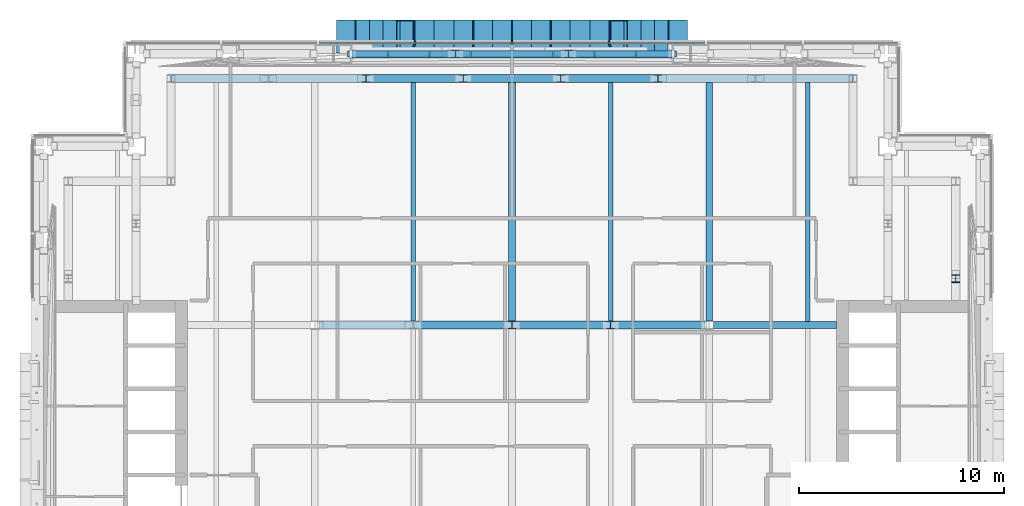
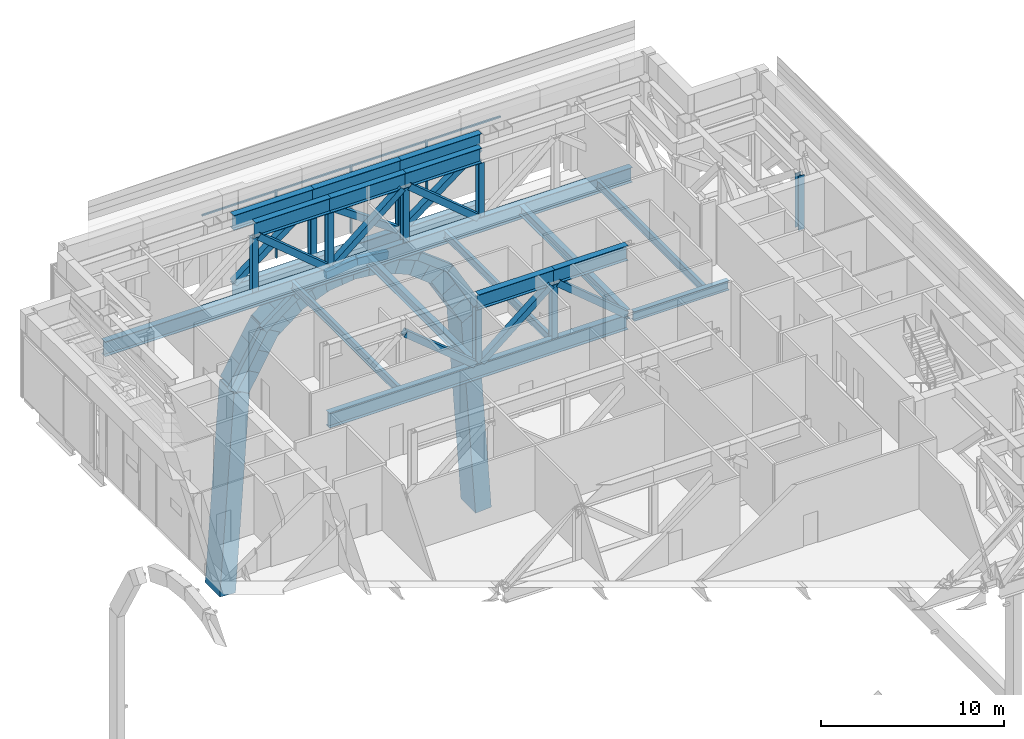
# One storey, part 7 of 38: 56 members, 14 beams, 1 element without a shape of its own.
"""IFC4 building model written with IfcOpenShell, lengths in metres."""

from ifc_helpers import new_model, si_unit, direction, frame, origin, origin_2d, place, context, subcontext, project, spatial, rectangle, hollow_rectangle, i_section, extrude, material, material_profile, profile_set, type_object, element, aggregate, save


model = new_model("IFC4")

# Units and contexts
model_context = context("Model", 3, precision=1e-05, world=origin(), true_north=direction((0.0, 1.0)))
body_context = subcontext(model_context, "Body", "Model", "MODEL_VIEW")
ifc_project = project(units=[si_unit("LENGTHUNIT", "METRE"), si_unit("AREAUNIT", "SQUARE_METRE"), si_unit("VOLUMEUNIT", "CUBIC_METRE"), si_unit("PLANEANGLEUNIT", "RADIAN"), si_unit("MASSUNIT", "GRAM", prefix="KILO")], contexts=[model_context])

# Site, building, storey
site_placement = place(None, origin())
site = spatial("IfcSite", under=ifc_project, at=site_placement, CompositionType="ELEMENT")
building_placement = place(site_placement, origin())
building = spatial("IfcBuilding", under=site, at=building_placement, Name="Cobrizo Arcos Hotel Tower", CompositionType="ELEMENT")
storey_placement = place(building_placement, frame((0.0, 0.0, 138.0)))
storey = spatial("IfcBuildingStorey", under=building, at=storey_placement, Name="L35", CompositionType="ELEMENT", Elevation=138.0)

# Beams
ifc_material_1 = material(Name="Steel ASTM A572 Grade 50", Category="steel")
ifc_material_profile_1 = material_profile(ifc_material_1, hollow_rectangle(XDim=0.300048828125, YDim=0.5, WallThickness=0.02001953125, at=origin_2d()), Name="BOX 300X500X20")
ifc_profile_set_1 = profile_set([ifc_material_profile_1], Name="Steel ASTM A572 Grade 50")
beam_type_1 = type_object("IfcBeamType", Name="BOX 300X500X20 arch rib", PredefinedType="BEAM", material=ifc_profile_set_1)
beam_1_placement = place(storey_placement, frame((-7.800048828125, 22.800048828125, -7.4326171875), z_axis=(0.497621047013, 0.0, 0.867394543198), x_axis=(0.0, 1.0, 0.0)))
element("IfcBeam", 1, at=beam_1_placement, inside=storey, type_object=beam_type_1, Name="Arch rib AR1, arch B, north face, no. 01", PredefinedType="BEAM", context=body_context, shape_type="SweptSolid", body=[
    extrude(hollow_rectangle(XDim=0.300048828125, YDim=0.5, WallThickness=0.02001953125, at=origin_2d()), origin(), (0.0, 0.0, 1.0), 3.91845703125),
])
beam_2_placement = place(storey_placement, frame((-5.85009765625, 22.800048828125, -4.03369140625), z_axis=(0.793804651167, 0.0, 0.608172817369), x_axis=(0.0, 1.0, 0.0)))
element("IfcBeam", 2, at=beam_2_placement, inside=storey, type_object=beam_type_1, Name="Arch rib AR1, arch B, north face, no. 02", PredefinedType="BEAM", context=body_context, shape_type="SweptSolid", body=[
    extrude(hollow_rectangle(XDim=0.300048828125, YDim=0.5, WallThickness=0.02001953125, at=origin_2d()), origin(), (0.0, 0.0, 1.0), 2.456787109375),
])
beam_3_placement = place(storey_placement, frame((-3.89990234375, 22.800048828125, -2.53955078125), z_axis=(0.931493782789, 0.0, 0.363757244087), x_axis=(0.0, 1.0, 0.0)))
element("IfcBeam", 3, at=beam_3_placement, inside=storey, type_object=beam_type_1, Name="Arch rib AR1, arch B, north face, no. 03", PredefinedType="BEAM", context=body_context, shape_type="SweptSolid", body=[
    extrude(hollow_rectangle(XDim=0.300048828125, YDim=0.5, WallThickness=0.02001953125, at=origin_2d()), origin(), (0.0, 0.0, 1.0), 2.09326171875),
])
for number, where, z_axis, x_axis, name in (
    (4, (-1.949951171875, 22.800048828125, -1.778076171875), (0.992631300505, 0.0, 0.121173847251), (0.0, 1.0, 0.0), "Arch rib AR1, arch B, north face, no. 04"),
    (5, (0.0, 22.800048828125, -1.5400390625), (0.992631300505, 0.0, -0.121173847251), (0.0, 1.0, 0.0), "Arch rib AR1, arch B, north face, no. 05"),
):
    element("IfcBeam", number, at=place(storey_placement, frame(where, z_axis=z_axis, x_axis=x_axis)), inside=storey, type_object=beam_type_1, Name=name, PredefinedType="BEAM", context=body_context, shape_type="SweptSolid", body=[
        extrude(hollow_rectangle(XDim=0.300048828125, YDim=0.5, WallThickness=0.02001953125, at=origin_2d()), origin(), (0.0, 0.0, 1.0), 1.96435546875),
    ])
beam_4_placement = place(storey_placement, frame((1.949951171875, 22.800048828125, -1.778076171875), z_axis=(0.931493782789, 0.0, -0.363757244087), x_axis=(0.0, 1.0, 0.0)))
element("IfcBeam", 6, at=beam_4_placement, inside=storey, type_object=beam_type_1, Name="Arch rib AR1, arch B, north face, no. 06", PredefinedType="BEAM", context=body_context, shape_type="SweptSolid", body=[
    extrude(hollow_rectangle(XDim=0.300048828125, YDim=0.5, WallThickness=0.02001953125, at=origin_2d()), origin(), (0.0, 0.0, 1.0), 2.09326171875),
])
beam_5_placement = place(storey_placement, frame((3.89990234375, 22.800048828125, -2.53955078125), z_axis=(0.793804651167, 0.0, -0.608172817369), x_axis=(0.0, 1.0, 0.0)))
element("IfcBeam", 7, at=beam_5_placement, inside=storey, type_object=beam_type_1, Name="Arch rib AR1, arch B, north face, no. 07", PredefinedType="BEAM", context=body_context, shape_type="SweptSolid", body=[
    extrude(hollow_rectangle(XDim=0.300048828125, YDim=0.5, WallThickness=0.02001953125, at=origin_2d()), origin(), (0.0, 0.0, 1.0), 2.456787109375),
])
beam_6_placement = place(storey_placement, frame((5.85009765625, 22.800048828125, -4.03369140625), z_axis=(0.497621047013, 0.0, -0.867394543198), x_axis=(0.0, 1.0, 0.0)))
element("IfcBeam", 8, at=beam_6_placement, inside=storey, type_object=beam_type_1, Name="Arch rib AR1, arch B, north face, no. 08", PredefinedType="BEAM", context=body_context, shape_type="SweptSolid", body=[
    extrude(hollow_rectangle(XDim=0.300048828125, YDim=0.5, WallThickness=0.02001953125, at=origin_2d()), origin(), (0.0, 0.0, 1.0), 3.91845703125),
])

# Curtain wall, members
ifc_material_2 = material(Name="Aluminium 6063-T6 anodised bronze", Category="aluminium")
curtain_wall_type = type_object("IfcCurtainWallType", Name="CW-D plant louvre wall", PredefinedType="NOTDEFINED", material=ifc_material_2)
curtain_wall_placement = place(storey_placement, origin())
curtain_wall = element("IfcCurtainWall", 9, at=curtain_wall_placement, inside=storey, type_object=curtain_wall_type, Name="CW-D L35 N face", PredefinedType="NOTDEFINED")
ifc_material_profile_2 = material_profile(ifc_material_2, rectangle(XDim=0.14990234375, YDim=0.10009765625, at=origin_2d()), Name="CW-D mullion 150x100")
ifc_profile_set_2 = profile_set([ifc_material_profile_2], Name="Aluminium 6063-T6 anodised bronze")
member_type_1 = type_object("IfcMemberType", Name="CW-D mullion 150x100", PredefinedType="MULLION", material=ifc_profile_set_2)
member_1_placement = place(storey_placement, frame((4.72509765625, 23.324951171875, 0.0), z_axis=(0.0, 0.0, 1.0), x_axis=(0.0, 1.0, 0.0)))
member_1 = element("IfcMember", 10, at=member_1_placement, type_object=member_type_1, Name="CW-D mullion 4", PredefinedType="MULLION", context=body_context, shape_type="SweptSolid", body=[
    extrude(rectangle(XDim=0.14990234375, YDim=0.10009765625, at=origin_2d()), origin(), (0.0, 0.0, 1.0), 4.5),
])
member_2_placement = place(storey_placement, frame((0.0, 23.324951171875, 0.0), z_axis=(0.0, 0.0, 1.0), x_axis=(0.0, 1.0, 0.0)))
member_2 = element("IfcMember", 11, at=member_2_placement, type_object=member_type_1, Name="CW-D mullion 5", PredefinedType="MULLION", context=body_context, shape_type="SweptSolid", body=[
    extrude(rectangle(XDim=0.14990234375, YDim=0.10009765625, at=origin_2d()), origin(), (0.0, 0.0, 1.0), 4.5),
])
member_3_placement = place(storey_placement, frame((-4.72509765625, 23.324951171875, 0.0), z_axis=(0.0, 0.0, 1.0), x_axis=(0.0, 1.0, 0.0)))
member_3 = element("IfcMember", 12, at=member_3_placement, type_object=member_type_1, Name="CW-D mullion 6", PredefinedType="MULLION", context=body_context, shape_type="SweptSolid", body=[
    extrude(rectangle(XDim=0.14990234375, YDim=0.10009765625, at=origin_2d()), origin(), (0.0, 0.0, 1.0), 4.5),
])
ifc_material_profile_3 = material_profile(ifc_material_2, rectangle(XDim=0.10009765625, YDim=0.10009765625, at=origin_2d()), Name="CW-D transom 100x100")
ifc_profile_set_3 = profile_set([ifc_material_profile_3], Name="Aluminium 6063-T6 anodised bronze")
member_type_2 = type_object("IfcMemberType", Name="CW-D transom 100x100", PredefinedType="USERDEFINED", material=ifc_profile_set_3)
member_4_placement = place(storey_placement, frame((9.39990234375, 23.324951171875, 4.449951171875), z_axis=(-1.0, 0.0, 0.0), x_axis=(0.0, -1.0, 0.0)))
member_4 = element("IfcMember", 13, at=member_4_placement, type_object=member_type_2, Name="CW-D transom 1293", ObjectType="TRANSOM", PredefinedType="USERDEFINED", context=body_context, shape_type="SweptSolid", body=[
    extrude(rectangle(XDim=0.10009765625, YDim=0.10009765625, at=origin_2d()), origin(), (0.0, 0.0, 1.0), 4.625),
])
member_5_placement = place(storey_placement, frame((4.675048828125, 23.324951171875, 4.449951171875), z_axis=(-1.0, 0.0, 0.0), x_axis=(0.0, -1.0, 0.0)))
member_5 = element("IfcMember", 14, at=member_5_placement, type_object=member_type_2, Name="CW-D transom 1294", ObjectType="TRANSOM", PredefinedType="USERDEFINED", context=body_context, shape_type="SweptSolid", body=[
    extrude(rectangle(XDim=0.10009765625, YDim=0.10009765625, at=origin_2d()), origin(), (0.0, 0.0, 1.0), 4.625),
])
member_6_placement = place(storey_placement, frame((-0.050048828125, 23.324951171875, 4.449951171875), z_axis=(-1.0, 0.0, 0.0), x_axis=(0.0, -1.0, 0.0)))
member_6 = element("IfcMember", 15, at=member_6_placement, type_object=member_type_2, Name="CW-D transom 1295", ObjectType="TRANSOM", PredefinedType="USERDEFINED", context=body_context, shape_type="SweptSolid", body=[
    extrude(rectangle(XDim=0.10009765625, YDim=0.10009765625, at=origin_2d()), origin(), (0.0, 0.0, 1.0), 4.625),
])
member_7_placement = place(storey_placement, frame((-4.77490234375, 23.324951171875, 4.449951171875), z_axis=(-1.0, 0.0, 0.0), x_axis=(0.0, -1.0, 0.0)))
member_7 = element("IfcMember", 16, at=member_7_placement, type_object=member_type_2, Name="CW-D transom 1296", ObjectType="TRANSOM", PredefinedType="USERDEFINED", context=body_context, shape_type="SweptSolid", body=[
    extrude(rectangle(XDim=0.10009765625, YDim=0.10009765625, at=origin_2d()), origin(), (0.0, 0.0, 1.0), 4.625),
])
aggregate(curtain_wall, [member_1, member_2, member_3, member_4, member_5, member_6, member_7])

# Members
ifc_material_3 = material(Name="Steel ASTM A500 Grade C", Category="steel")
ifc_material_profile_4 = material_profile(ifc_material_3, hollow_rectangle(XDim=0.406494140625, YDim=0.406494140625, WallThickness=0.014892578125, at=origin_2d()), Name="HSS16X16X5/8")
ifc_profile_set_4 = profile_set([ifc_material_profile_4], Name="Steel ASTM A500 Grade C")
member_type_3 = type_object("IfcMemberType", Name="HSS16X16X5/8 truss diagonal", PredefinedType="BRACE", material=ifc_profile_set_4)
member_8_placement = place(storey_placement, frame((7.719970703125, 22.800048828125, 3.309326171875), z_axis=(-0.797436109358, 0.0, -0.603403390355), x_axis=(0.0, -1.0, 0.0)))
element("IfcMember", 17, at=member_8_placement, inside=storey, type_object=member_type_3, Name="Belt truss diagonal TD1, L35, no. 018", PredefinedType="BRACE", context=body_context, shape_type="SweptSolid", body=[
    extrude(hollow_rectangle(XDim=0.406494140625, YDim=0.406494140625, WallThickness=0.014892578125, at=origin_2d()), origin(), (0.0, 0.0, 1.0), 5.981689453125),
])
member_9_placement = place(storey_placement, frame((2.550048828125, 22.800048828125, -0.300048828125), z_axis=(-0.816265542448, 0.0, 0.577676868337), x_axis=(0.0, -1.0, 0.0)))
element("IfcMember", 18, at=member_9_placement, inside=storey, type_object=member_type_3, Name="Belt truss diagonal TD1, L35, no. 019", PredefinedType="BRACE", context=body_context, shape_type="SweptSolid", body=[
    extrude(hollow_rectangle(XDim=0.406494140625, YDim=0.406494140625, WallThickness=0.014892578125, at=origin_2d()), origin(), (0.0, 0.0, 1.0), 6.248046875),
])
member_10_placement = place(storey_placement, frame((-2.949951171875, 22.800048828125, 3.309326171875), z_axis=(-0.797436109358, 0.0, -0.603403390355), x_axis=(0.0, -1.0, 0.0)))
element("IfcMember", 19, at=member_10_placement, inside=storey, type_object=member_type_3, Name="Belt truss diagonal TD1, L35, no. 020", PredefinedType="BRACE", context=body_context, shape_type="SweptSolid", body=[
    extrude(hollow_rectangle(XDim=0.406494140625, YDim=0.406494140625, WallThickness=0.014892578125, at=origin_2d()), origin(), (0.0, 0.0, 1.0), 5.981689453125),
])
member_11_placement = place(storey_placement, frame((6.9140625, 21.60009765625, -0.300048828125), z_axis=(-0.769074628043, 0.0, 0.639158991567), x_axis=(0.0, -1.0, 0.0)))
element("IfcMember", 20, at=member_11_placement, inside=storey, type_object=member_type_3, Name="Belt truss diagonal TD1, L35, no. 046", PredefinedType="BRACE", context=body_context, shape_type="SweptSolid", body=[
    extrude(hollow_rectangle(XDim=0.406494140625, YDim=0.406494140625, WallThickness=0.014892578125, at=origin_2d()), origin(), (0.0, 0.0, 1.0), 5.64697265625),
])
member_12_placement = place(storey_placement, frame((2.1708984375, 21.60009765625, 3.309326171875), z_axis=(-0.768986297059, 0.0, -0.639265261793), x_axis=(0.0, -1.0, 0.0)))
element("IfcMember", 21, at=member_12_placement, inside=storey, type_object=member_type_3, Name="Belt truss diagonal TD1, L35, no. 047", PredefinedType="BRACE", context=body_context, shape_type="SweptSolid", body=[
    extrude(hollow_rectangle(XDim=0.406494140625, YDim=0.406494140625, WallThickness=0.014892578125, at=origin_2d()), origin(), (0.0, 0.0, 1.0), 5.646240234375),
])
member_13_placement = place(storey_placement, frame((-2.571044921875, 21.60009765625, -0.300048828125), z_axis=(-0.769074628043, 0.0, 0.639158991567), x_axis=(0.0, -1.0, 0.0)))
element("IfcMember", 22, at=member_13_placement, inside=storey, type_object=member_type_3, Name="Belt truss diagonal TD1, L35, no. 048", PredefinedType="BRACE", context=body_context, shape_type="SweptSolid", body=[
    extrude(hollow_rectangle(XDim=0.406494140625, YDim=0.406494140625, WallThickness=0.014892578125, at=origin_2d()), origin(), (0.0, 0.0, 1.0), 5.64697265625),
])
for number, where, z_axis, x_axis, name in (
    (23, (-4.60009765625, 9.60009765625, 3.309326171875), (0.773159666007, 0.0, -0.634211424416), (0.0, 1.0, 0.0), "Outrigger diagonal TD1, L35, no. 022"),
    (24, (0.199951171875, 9.60009765625, -0.300048828125), (0.773159666007, 0.0, 0.634211424416), (0.0, 1.0, 0.0), "Outrigger diagonal TD1, L35, no. 023"),
):
    element("IfcMember", number, at=place(storey_placement, frame(where, z_axis=z_axis, x_axis=x_axis)), inside=storey, type_object=member_type_3, Name=name, PredefinedType="BRACE", context=body_context, shape_type="SweptSolid", body=[
        extrude(hollow_rectangle(XDim=0.406494140625, YDim=0.406494140625, WallThickness=0.014892578125, at=origin_2d()), origin(), (0.0, 0.0, 1.0), 5.691162109375),
    ])
member_14_placement = place(storey_placement, frame((5.0, 9.60009765625, 3.309326171875), z_axis=(0.767442262329, 0.0, -0.641118065563), x_axis=(0.0, 1.0, 0.0)))
element("IfcMember", 25, at=member_14_placement, inside=storey, type_object=member_type_3, Name="Outrigger diagonal TD1, L35, no. 024", PredefinedType="BRACE", context=body_context, shape_type="SweptSolid", body=[
    extrude(hollow_rectangle(XDim=0.406494140625, YDim=0.406494140625, WallThickness=0.014892578125, at=origin_2d()), origin(), (0.0, 0.0, 1.0), 5.6298828125),
])
ifc_material_4 = material(Name="Steel ASTM A572 Grade 50 verdigris painted", Category="steel")
ifc_material_profile_5 = material_profile(ifc_material_4, hollow_rectangle(XDim=1.60009765625, YDim=1.0, WallThickness=0.050048828125, at=origin_2d()), Name="PF-2 arch ring frame box 1600x1000x50")
ifc_profile_set_5 = profile_set([ifc_material_profile_5], Name="Steel ASTM A572 Grade 50 verdigris painted")
member_type_4 = type_object("IfcMemberType", Name="PF-2 arch ring frame box 1600x1000x50", PredefinedType="USERDEFINED", material=ifc_profile_set_5)
for number, where, z_axis, x_axis, name in (
    (26, (-7.1494140625, 23.64990234375, -7.805908203125), (0.497547278685, 0.0, 0.867436859646), (0.0, 1.0, 0.0), "B ring frame lintel N1"),
    (27, (-6.49951171875, 23.64990234375, -6.6728515625), (0.497547278685, 0.0, 0.867436859646), (0.0, 1.0, 0.0), "B ring frame lintel N2"),
    (28, (-5.849609375, 23.64990234375, -5.539794921875), (0.497768583067, 0.0, 0.86730988563), (0.0, 1.0, 0.0), "B ring frame lintel N3"),
):
    element("IfcMember", number, at=place(storey_placement, frame(where, z_axis=z_axis, x_axis=x_axis)), inside=storey, type_object=member_type_4, Name=name, ObjectType="PORTAL FRAME", PredefinedType="USERDEFINED", context=body_context, shape_type="SweptSolid", body=[
        extrude(hollow_rectangle(XDim=1.60009765625, YDim=1.0, WallThickness=0.050048828125, at=origin_2d()), origin(), (0.0, 0.0, 1.0), 1.30615234375),
    ])
for number, where, z_axis, x_axis, name in (
    (29, (-5.393798828125, 23.64990234375, -4.62890625), (0.793804651167, 0.0, 0.608172817369), (0.0, 1.0, 0.0), "B ring frame lintel N4"),
    (30, (-4.418701171875, 23.64990234375, -3.8818359375), (0.793731121538, 0.0, 0.608268778339), (0.0, 1.0, 0.0), "B ring frame lintel N5"),
):
    element("IfcMember", number, at=place(storey_placement, frame(where, z_axis=z_axis, x_axis=x_axis)), inside=storey, type_object=member_type_4, Name=name, ObjectType="PORTAL FRAME", PredefinedType="USERDEFINED", context=body_context, shape_type="SweptSolid", body=[
        extrude(hollow_rectangle(XDim=1.60009765625, YDim=1.0, WallThickness=0.050048828125, at=origin_2d()), origin(), (0.0, 0.0, 1.0), 1.228271484375),
    ])
for number, where, z_axis, x_axis, name in (
    (31, (-3.627197265625, 23.64990234375, -3.238037109375), (0.931548717787, 0.0, 0.363616537564), (0.0, 1.0, 0.0), "B ring frame lintel N6"),
    (32, (-2.652099609375, 23.64990234375, -2.857421875), (0.931438819259, 0.0, 0.363897960943), (0.0, 1.0, 0.0), "B ring frame lintel N7"),
):
    element("IfcMember", number, at=place(storey_placement, frame(where, z_axis=z_axis, x_axis=x_axis)), inside=storey, type_object=member_type_4, Name=name, ObjectType="PORTAL FRAME", PredefinedType="USERDEFINED", context=body_context, shape_type="SweptSolid", body=[
        extrude(hollow_rectangle(XDim=1.60009765625, YDim=1.0, WallThickness=0.050048828125, at=origin_2d()), origin(), (0.0, 0.0, 1.0), 1.046630859375),
    ])
member_15_placement = place(storey_placement, frame((-1.859130859375, 23.64990234375, -2.5224609375), z_axis=(0.99264806263, 0.0, 0.12103645631), x_axis=(0.0, 1.0, 0.0)))
element("IfcMember", 33, at=member_15_placement, inside=storey, type_object=member_type_4, Name="B ring frame lintel N8", ObjectType="PORTAL FRAME", PredefinedType="USERDEFINED", context=body_context, shape_type="SweptSolid", body=[
    extrude(hollow_rectangle(XDim=1.60009765625, YDim=1.0, WallThickness=0.050048828125, at=origin_2d()), origin(), (0.0, 0.0, 1.0), 0.982421875),
])
for number, where, z_axis, x_axis, name in (
    (34, (-0.884033203125, 23.64990234375, -2.403564453125), (0.992614515726, 0.0, 0.121311265633), (0.0, 1.0, 0.0), "B ring frame lintel N9"),
    (35, (-0.0908203125, 23.64990234375, -2.284423828125), (0.992614515726, 0.0, -0.121311265633), (0.0, 1.0, 0.0), "B ring frame lintel N10"),
):
    element("IfcMember", number, at=place(storey_placement, frame(where, z_axis=z_axis, x_axis=x_axis)), inside=storey, type_object=member_type_4, Name=name, ObjectType="PORTAL FRAME", PredefinedType="USERDEFINED", context=body_context, shape_type="SweptSolid", body=[
        extrude(hollow_rectangle(XDim=1.60009765625, YDim=1.0, WallThickness=0.050048828125, at=origin_2d()), origin(), (0.0, 0.0, 1.0), 0.982177734375),
    ])
member_16_placement = place(storey_placement, frame((0.884033203125, 23.64990234375, -2.403564453125), z_axis=(0.99264806263, 0.0, -0.12103645631), x_axis=(0.0, 1.0, 0.0)))
element("IfcMember", 36, at=member_16_placement, inside=storey, type_object=member_type_4, Name="B ring frame lintel N11", ObjectType="PORTAL FRAME", PredefinedType="USERDEFINED", context=body_context, shape_type="SweptSolid", body=[
    extrude(hollow_rectangle(XDim=1.60009765625, YDim=1.0, WallThickness=0.050048828125, at=origin_2d()), origin(), (0.0, 0.0, 1.0), 0.982421875),
])
for number, where, z_axis, x_axis, name in (
    (37, (1.67724609375, 23.64990234375, -2.4765625), (0.931438819259, 0.0, -0.363897960943), (0.0, 1.0, 0.0), "B ring frame lintel N12"),
    (38, (2.652099609375, 23.64990234375, -2.857421875), (0.931548717787, 0.0, -0.363616537564), (0.0, 1.0, 0.0), "B ring frame lintel N13"),
):
    element("IfcMember", number, at=place(storey_placement, frame(where, z_axis=z_axis, x_axis=x_axis)), inside=storey, type_object=member_type_4, Name=name, ObjectType="PORTAL FRAME", PredefinedType="USERDEFINED", context=body_context, shape_type="SweptSolid", body=[
        extrude(hollow_rectangle(XDim=1.60009765625, YDim=1.0, WallThickness=0.050048828125, at=origin_2d()), origin(), (0.0, 0.0, 1.0), 1.046630859375),
    ])
for number, where, z_axis, x_axis, name in (
    (39, (3.44384765625, 23.64990234375, -3.134765625), (0.793731121538, 0.0, -0.608268778339), (0.0, 1.0, 0.0), "B ring frame lintel N14"),
    (40, (4.418701171875, 23.64990234375, -3.8818359375), (0.793804651167, 0.0, -0.608172817369), (0.0, 1.0, 0.0), "B ring frame lintel N15"),
):
    element("IfcMember", number, at=place(storey_placement, frame(where, z_axis=z_axis, x_axis=x_axis)), inside=storey, type_object=member_type_4, Name=name, ObjectType="PORTAL FRAME", PredefinedType="USERDEFINED", context=body_context, shape_type="SweptSolid", body=[
        extrude(hollow_rectangle(XDim=1.60009765625, YDim=1.0, WallThickness=0.050048828125, at=origin_2d()), origin(), (0.0, 0.0, 1.0), 1.228271484375),
    ])
for number, where, z_axis, x_axis, name in (
    (41, (5.199462890625, 23.64990234375, -4.406982421875), (0.497768583067, 0.0, -0.86730988563), (0.0, 1.0, 0.0), "B ring frame lintel N16"),
    (42, (5.849609375, 23.64990234375, -5.539794921875), (0.497547278685, 0.0, -0.867436859646), (0.0, 1.0, 0.0), "B ring frame lintel N17"),
    (43, (6.49951171875, 23.64990234375, -6.6728515625), (0.497547278685, 0.0, -0.867436859646), (0.0, 1.0, 0.0), "B ring frame lintel N18"),
):
    element("IfcMember", number, at=place(storey_placement, frame(where, z_axis=z_axis, x_axis=x_axis)), inside=storey, type_object=member_type_4, Name=name, ObjectType="PORTAL FRAME", PredefinedType="USERDEFINED", context=body_context, shape_type="SweptSolid", body=[
        extrude(hollow_rectangle(XDim=1.60009765625, YDim=1.0, WallThickness=0.050048828125, at=origin_2d()), origin(), (0.0, 0.0, 1.0), 1.30615234375),
    ])
for number, where, z_axis, x_axis, name in (
    (44, (-8.049560546875, 23.64990234375, -21.0), (0.068065232838, 0.0, 0.997680872864), (0.0, 1.0, 0.0), "B ring frame post NW"),
    (45, (8.049560546875, 23.64990234375, -21.0), (-0.068065232838, 0.0, 0.997680872864), (0.0, -1.0, 0.0), "B ring frame post NE"),
):
    element("IfcMember", number, at=place(storey_placement, frame(where, z_axis=z_axis, x_axis=x_axis)), inside=storey, type_object=member_type_4, Name=name, ObjectType="PORTAL FRAME", PredefinedType="USERDEFINED", context=body_context, shape_type="SweptSolid", body=[
        extrude(hollow_rectangle(XDim=1.60009765625, YDim=1.0, WallThickness=0.050048828125, at=origin_2d()), origin(), (0.0, 0.0, 1.0), 13.224853515625),
    ])
ifc_material_5 = material(Name="Steel ASTM A992 Grade 50", Category="steel")
ifc_material_profile_6 = material_profile(ifc_material_5, i_section(OverallWidth=0.373291015625, OverallDepth=0.373291015625, WebThickness=0.016357421875, FlangeThickness=0.026123046875, at=origin_2d()), Name="W14X132")
ifc_profile_set_6 = profile_set([ifc_material_profile_6], Name="Steel ASTM A992 Grade 50")
member_type_5 = type_object("IfcMemberType", Name="W14X132 truss post", PredefinedType="POST", material=ifc_profile_set_6)
for number, where, z_axis, x_axis, name in (
    (46, (2.75, 22.800048828125, -0.300048828125), (0.0, 0.0, 1.0), (1.0, 0.0, 0.0), "Truss post TP1, L35, no. 003"),
    (47, (-2.75, 22.800048828125, -0.300048828125), (0.0, 0.0, 1.0), (1.0, 0.0, 0.0), "Truss post TP1, L35, no. 004"),
    (48, (21.60009765625, 11.85693359375, -0.300048828125), (0.0, 0.0, 1.0), (1.0, 0.0, 0.0), "Truss post TP1, L35, no. 016"),
    (49, (7.114013671875, 21.60009765625, -0.300048828125), (0.0, 0.0, 1.0), (1.0, 0.0, 0.0), "Truss post TP1, L35, no. 021"),
    (50, (2.37109375, 21.60009765625, -0.300048828125), (0.0, 0.0, 1.0), (1.0, 0.0, 0.0), "Truss post TP1, L35, no. 022"),
    (51, (-2.37109375, 21.60009765625, -0.300048828125), (0.0, 0.0, 1.0), (1.0, 0.0, 0.0), "Truss post TP1, L35, no. 023"),
    (52, (-7.114013671875, 21.60009765625, -0.300048828125), (0.0, 0.0, 1.0), (1.0, 0.0, 0.0), "Truss post TP1, L35, no. 024"),
    (53, (0.0, 9.60009765625, -0.300048828125), (0.0, 0.0, 1.0), (1.0, 0.0, 0.0), "Truss post TP1, L35, no. 044"),
    (54, (4.800048828125, 9.60009765625, -0.300048828125), (0.0, 0.0, 1.0), (1.0, 0.0, 0.0), "Truss post TP1, L35, no. 045"),
):
    element("IfcMember", number, at=place(storey_placement, frame(where, z_axis=z_axis, x_axis=x_axis)), inside=storey, type_object=member_type_5, Name=name, PredefinedType="POST", context=body_context, shape_type="SweptSolid", body=[
        extrude(i_section(OverallWidth=0.373291015625, OverallDepth=0.373291015625, WebThickness=0.016357421875, FlangeThickness=0.026123046875, at=origin_2d()), origin(), (0.0, 0.0, 1.0), 3.609375),
    ])

# Beams
ifc_material_profile_7 = material_profile(ifc_material_5, i_section(OverallWidth=0.209228515625, OverallDepth=0.533447265625, WebThickness=0.01025390625, FlangeThickness=0.015625, at=origin_2d()), Name="W21X62")
ifc_profile_set_7 = profile_set([ifc_material_profile_7], Name="Steel ASTM A992 Grade 50")
beam_type_2 = type_object("IfcBeamType", Name="W21X62 joist", PredefinedType="JOIST", material=ifc_profile_set_7)
for number, where, z_axis, x_axis, name in (
    (55, (-4.800048828125, 9.800537109375, -0.566650390625), (0.0, 1.0, 0.0), (-1.0, 0.0, 0.0), "Floor joist J1, L35, no. 012"),
    (56, (4.800048828125, 9.800537109375, -0.566650390625), (0.0, 1.0, 0.0), (-1.0, 0.0, 0.0), "Floor joist J1, L35, no. 016"),
):
    element("IfcBeam", number, at=place(storey_placement, frame(where, z_axis=z_axis, x_axis=x_axis)), inside=storey, type_object=beam_type_2, Name=name, PredefinedType="JOIST", context=body_context, shape_type="SweptSolid", body=[
        extrude(i_section(OverallWidth=0.209228515625, OverallDepth=0.533447265625, WebThickness=0.01025390625, FlangeThickness=0.015625, at=origin_2d()), origin(), (0.0, 0.0, 1.0), 11.598876953125),
    ])
beam_7_placement = place(storey_placement, frame((14.39990234375, 9.763916015625, -0.566650390625), z_axis=(0.0, 1.0, 0.0), x_axis=(-1.0, 0.0, 0.0)))
element("IfcBeam", 57, at=beam_7_placement, inside=storey, type_object=beam_type_2, Name="Floor joist J1, L35, no. 020", PredefinedType="JOIST", context=body_context, shape_type="SweptSolid", body=[
    extrude(i_section(OverallWidth=0.209228515625, OverallDepth=0.533447265625, WebThickness=0.01025390625, FlangeThickness=0.015625, at=origin_2d()), origin(), (0.0, 0.0, 1.0), 11.635498046875),
])
ifc_material_profile_8 = material_profile(ifc_material_5, i_section(OverallWidth=0.32763671875, OverallDepth=0.622314453125, WebThickness=0.015380859375, FlangeThickness=0.0244140625, at=origin_2d()), Name="W24X131")
ifc_profile_set_8 = profile_set([ifc_material_profile_8], Name="Steel ASTM A992 Grade 50")
beam_type_3 = type_object("IfcBeamType", Name="W24X131 girder", PredefinedType="BEAM", material=ifc_profile_set_8)
beam_8_placement = place(storey_placement, frame((9.79931640625, 9.60009765625, -0.611083984375), z_axis=(1.0, 0.0, 0.0), x_axis=(0.0, 1.0, 0.0)))
element("IfcBeam", 58, at=beam_8_placement, inside=storey, type_object=beam_type_3, Name="Floor girder G1, L35, no. 006", PredefinedType="BEAM", context=body_context, shape_type="SweptSolid", body=[
    extrude(i_section(OverallWidth=0.32763671875, OverallDepth=0.622314453125, WebThickness=0.015380859375, FlangeThickness=0.0244140625, at=origin_2d()), origin(), (0.0, 0.0, 1.0), 5.99072265625),
])
for number, where, z_axis, x_axis, name in (
    (59, (0.0, 9.800537109375, -0.611083984375), (0.0, 1.0, 0.0), (-1.0, 0.0, 0.0), "Floor girder G1, L35, no. 014"),
    (60, (9.60009765625, 9.800537109375, -0.611083984375), (0.0, 1.0, 0.0), (-1.0, 0.0, 0.0), "Floor girder G1, L35, no. 018"),
):
    element("IfcBeam", number, at=place(storey_placement, frame(where, z_axis=z_axis, x_axis=x_axis)), inside=storey, type_object=beam_type_3, Name=name, PredefinedType="BEAM", context=body_context, shape_type="SweptSolid", body=[
        extrude(i_section(OverallWidth=0.32763671875, OverallDepth=0.622314453125, WebThickness=0.015380859375, FlangeThickness=0.0244140625, at=origin_2d()), origin(), (0.0, 0.0, 1.0), 11.598876953125),
    ])

# Members
ifc_material_profile_9 = material_profile(ifc_material_5, i_section(OverallWidth=0.4013671875, OverallDepth=0.990478515625, WebThickness=0.0166015625, FlangeThickness=0.025390625, at=origin_2d()), Name="W40X215")
ifc_profile_set_9 = profile_set([ifc_material_profile_9], Name="Steel ASTM A992 Grade 50")
member_type_6 = type_object("IfcMemberType", Name="W40X215 belt truss chord", PredefinedType="CHORD", material=ifc_profile_set_9)
member_17_placement = place(storey_placement, frame((7.800048828125, 22.800048828125, -0.79541015625), z_axis=(-1.0, 0.0, 0.0), x_axis=(0.0, -1.0, 0.0)))
element("IfcMember", 61, at=member_17_placement, inside=storey, type_object=member_type_6, Name="Belt truss bottom chord TC1, L35, no. 016", PredefinedType="CHORD", context=body_context, shape_type="SweptSolid", body=[
    extrude(i_section(OverallWidth=0.4013671875, OverallDepth=0.990478515625, WebThickness=0.0166015625, FlangeThickness=0.025390625, at=origin_2d()), origin(), (0.0, 0.0, 1.0), 15.60009765625),
])
member_18_placement = place(storey_placement, frame((7.800048828125, 22.800048828125, 3.8046875), z_axis=(-1.0, 0.0, 0.0), x_axis=(0.0, -1.0, 0.0)))
element("IfcMember", 62, at=member_18_placement, inside=storey, type_object=member_type_6, Name="Belt truss top chord TC1, L35, no. 018", PredefinedType="CHORD", context=body_context, shape_type="SweptSolid", body=[
    extrude(i_section(OverallWidth=0.4013671875, OverallDepth=0.990478515625, WebThickness=0.0166015625, FlangeThickness=0.025390625, at=origin_2d()), origin(), (0.0, 0.0, 1.0), 5.050048828125),
])
member_19_placement = place(storey_placement, frame((2.75, 22.800048828125, 3.8046875), z_axis=(-1.0, 0.0, 0.0), x_axis=(0.0, -1.0, 0.0)))
element("IfcMember", 63, at=member_19_placement, inside=storey, type_object=member_type_6, Name="Belt truss top chord TC1, L35, no. 019", PredefinedType="CHORD", context=body_context, shape_type="SweptSolid", body=[
    extrude(i_section(OverallWidth=0.4013671875, OverallDepth=0.990478515625, WebThickness=0.0166015625, FlangeThickness=0.025390625, at=origin_2d()), origin(), (0.0, 0.0, 1.0), 5.5),
])
member_20_placement = place(storey_placement, frame((-2.75, 22.800048828125, 3.8046875), z_axis=(-1.0, 0.0, 0.0), x_axis=(0.0, -1.0, 0.0)))
element("IfcMember", 64, at=member_20_placement, inside=storey, type_object=member_type_6, Name="Belt truss top chord TC1, L35, no. 020", PredefinedType="CHORD", context=body_context, shape_type="SweptSolid", body=[
    extrude(i_section(OverallWidth=0.4013671875, OverallDepth=0.990478515625, WebThickness=0.0166015625, FlangeThickness=0.025390625, at=origin_2d()), origin(), (0.0, 0.0, 1.0), 5.050048828125),
])
member_21_placement = place(storey_placement, frame((16.60009765625, 21.60009765625, -0.79541015625), z_axis=(-1.0, 0.0, 0.0), x_axis=(0.0, -1.0, 0.0)))
element("IfcMember", 65, at=member_21_placement, inside=storey, type_object=member_type_6, Name="Belt truss bottom chord TC1, L35, no. 034", PredefinedType="CHORD", context=body_context, shape_type="SweptSolid", body=[
    extrude(i_section(OverallWidth=0.4013671875, OverallDepth=0.990478515625, WebThickness=0.0166015625, FlangeThickness=0.025390625, at=origin_2d()), origin(), (0.0, 0.0, 1.0), 33.2001953125),
])
member_22_placement = place(storey_placement, frame((7.114013671875, 21.60009765625, 3.8046875), z_axis=(-1.0, 0.0, 0.0), x_axis=(0.0, -1.0, 0.0)))
element("IfcMember", 66, at=member_22_placement, inside=storey, type_object=member_type_6, Name="Belt truss top chord TC1, L35, no. 046", PredefinedType="CHORD", context=body_context, shape_type="SweptSolid", body=[
    extrude(i_section(OverallWidth=0.4013671875, OverallDepth=0.990478515625, WebThickness=0.0166015625, FlangeThickness=0.025390625, at=origin_2d()), origin(), (0.0, 0.0, 1.0), 4.742919921875),
])
member_23_placement = place(storey_placement, frame((2.37109375, 21.60009765625, 3.8046875), z_axis=(-1.0, 0.0, 0.0), x_axis=(0.0, -1.0, 0.0)))
element("IfcMember", 67, at=member_23_placement, inside=storey, type_object=member_type_6, Name="Belt truss top chord TC1, L35, no. 047", PredefinedType="CHORD", context=body_context, shape_type="SweptSolid", body=[
    extrude(i_section(OverallWidth=0.4013671875, OverallDepth=0.990478515625, WebThickness=0.0166015625, FlangeThickness=0.025390625, at=origin_2d()), origin(), (0.0, 0.0, 1.0), 4.7421875),
])
member_24_placement = place(storey_placement, frame((-2.37109375, 21.60009765625, 3.8046875), z_axis=(-1.0, 0.0, 0.0), x_axis=(0.0, -1.0, 0.0)))
element("IfcMember", 68, at=member_24_placement, inside=storey, type_object=member_type_6, Name="Belt truss top chord TC1, L35, no. 048", PredefinedType="CHORD", context=body_context, shape_type="SweptSolid", body=[
    extrude(i_section(OverallWidth=0.4013671875, OverallDepth=0.990478515625, WebThickness=0.0166015625, FlangeThickness=0.025390625, at=origin_2d()), origin(), (0.0, 0.0, 1.0), 4.742919921875),
])
member_25_placement = place(storey_placement, frame((-9.400634765625, 9.60009765625, -0.79541015625), z_axis=(1.0, 0.0, 0.0), x_axis=(0.0, 1.0, 0.0)))
element("IfcMember", 69, at=member_25_placement, inside=storey, type_object=member_type_6, Name="Outrigger bottom chord TC1, L35, no. 011", PredefinedType="CHORD", context=body_context, shape_type="SweptSolid", body=[
    extrude(i_section(OverallWidth=0.4013671875, OverallDepth=0.990478515625, WebThickness=0.0166015625, FlangeThickness=0.025390625, at=origin_2d()), origin(), (0.0, 0.0, 1.0), 18.80126953125),
])
member_26_placement = place(storey_placement, frame((0.0, 9.60009765625, 3.8046875), z_axis=(1.0, 0.0, 0.0), x_axis=(0.0, 1.0, 0.0)))
element("IfcMember", 70, at=member_26_placement, inside=storey, type_object=member_type_6, Name="Outrigger top chord TC1, L35, no. 023", PredefinedType="CHORD", context=body_context, shape_type="SweptSolid", body=[
    extrude(i_section(OverallWidth=0.4013671875, OverallDepth=0.990478515625, WebThickness=0.0166015625, FlangeThickness=0.025390625, at=origin_2d()), origin(), (0.0, 0.0, 1.0), 4.800048828125),
])
member_27_placement = place(storey_placement, frame((4.800048828125, 9.60009765625, 3.8046875), z_axis=(1.0, 0.0, 0.0), x_axis=(0.0, 1.0, 0.0)))
element("IfcMember", 71, at=member_27_placement, inside=storey, type_object=member_type_6, Name="Outrigger top chord TC1, L35, no. 024", PredefinedType="CHORD", context=body_context, shape_type="SweptSolid", body=[
    extrude(i_section(OverallWidth=0.4013671875, OverallDepth=0.990478515625, WebThickness=0.0166015625, FlangeThickness=0.025390625, at=origin_2d()), origin(), (0.0, 0.0, 1.0), 4.6005859375),
])

save(model, "model.ifc")
